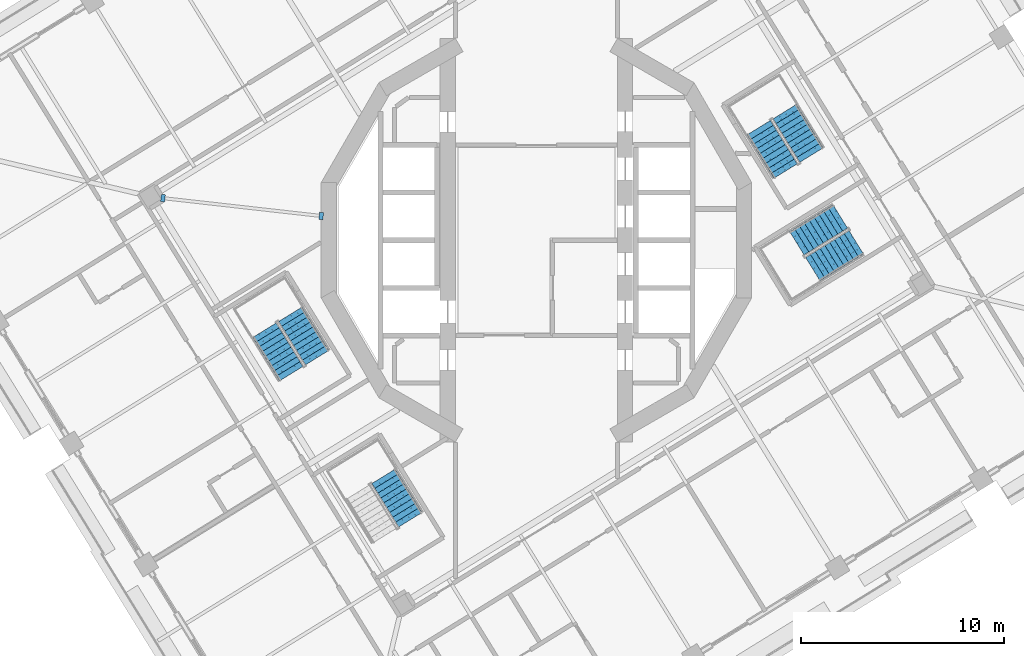
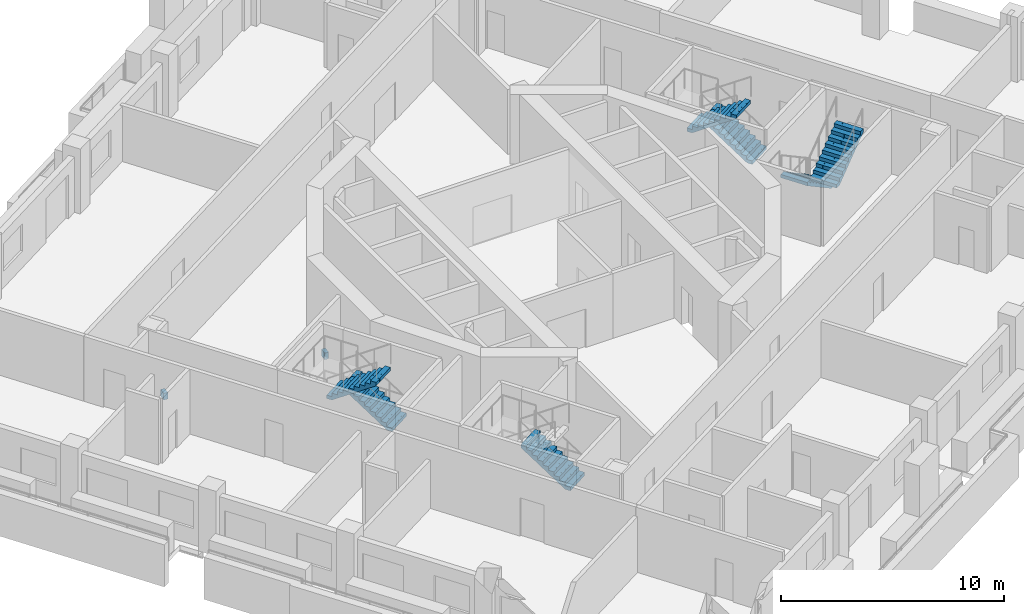
# One storey, part 10 of 20: 7 stair flights, 2 discrete accessories, 4 elements without a shape of their own.
"""IFC4 building model written with IfcOpenShell, lengths in metres."""

from ifc_helpers import new_model, si_unit, direction, frame, origin, place, context, subcontext, project, spatial, polyline, outline, extrude, material, layer, layer_set, type_object, element, aggregate, save


model = new_model("IFC4")

# Units and contexts
model_context = context("Model", 3, precision=1e-05, world=origin(), true_north=direction((0.0, 1.0)))
body_context = subcontext(model_context, "Body", "Model", "MODEL_VIEW")
ifc_project = project(units=[si_unit("LENGTHUNIT", "METRE"), si_unit("AREAUNIT", "SQUARE_METRE"), si_unit("VOLUMEUNIT", "CUBIC_METRE"), si_unit("PLANEANGLEUNIT", "RADIAN"), si_unit("MASSUNIT", "GRAM", prefix="KILO")], contexts=[model_context])

# Site, building, storey
site_placement = place(None, origin())
site = spatial("IfcSite", under=ifc_project, at=site_placement, CompositionType="ELEMENT")
building_placement = place(site_placement, origin())
building = spatial("IfcBuilding", under=site, at=building_placement, Name="Cantera Rosa Tower", CompositionType="ELEMENT")
storey_placement = place(building_placement, frame((0.0, 0.0, 181.800048828125)))
storey = spatial("IfcBuildingStorey", under=building, at=storey_placement, Name="L40", CompositionType="ELEMENT", Elevation=181.800048828125)

# Stair, stair flights
ifc_material_1 = material(Name="Concrete C35/45", Category="concrete")
stair_type = type_object("IfcStairType", Name="EXIT STAIR 1350 DOGLEG", PredefinedType="HALF_TURN_STAIR", material=ifc_material_1)
stair_1_placement = place(storey_placement, origin())
stair_1 = element("IfcStair", 1, at=stair_1_placement, inside=storey, type_object=stair_type, Name="L40 ST-31", PredefinedType="HALF_TURN_STAIR")
ifc_material_2 = material(Name="Concrete C35/45", Category="concrete")
stair_flight_type = type_object("IfcStairFlightType", Name="STAIR FLIGHT 1350 R20x190", PredefinedType="STRAIGHT", material=ifc_material_2)
stair_flight_1_placement = place(storey_placement, frame((13.5732421875, 4.2021484375, 0.0), z_axis=(0.0, 0.0, 1.0), x_axis=(-0.524976585286, 0.851116669383, 0.0)))
stair_flight_1 = element("IfcStairFlight", 2, at=stair_flight_1_placement, type_object=stair_flight_type, Name="ST-31 flight 1", NumberOfRisers=10, NumberOfTreads=9, PredefinedType="STRAIGHT", RiserHeight=0.19, TreadLength=0.28, context=body_context, shape_type="SweptSolid", body=[
    extrude(outline(polyline([(0.0, 0.0), (0.0, 0.18994140625), (0.280029296875, 0.18994140625), (0.280029296875, 0.3798828125), (0.56005859375, 0.3798828125), (0.56005859375, 0.570068359375), (0.840087890625, 0.570068359375), (0.840087890625, 0.760009765625), (1.1201171875, 0.760009765625), (1.1201171875, 0.949951171875), (1.39990234375, 0.949951171875), (1.39990234375, 1.139892578125), (1.679931640625, 1.139892578125), (1.679931640625, 1.330078125), (1.9599609375, 1.330078125), (1.9599609375, 1.52001953125), (2.239990234375, 1.52001953125), (2.239990234375, 1.7099609375), (2.52001953125, 1.7099609375), (2.52001953125, 1.89990234375), (2.52001953125, 1.52880859375), (0.266845703125, 0.0), (0.0, 0.0)])), frame((0.0, 0.675048828125, 0.0), z_axis=(0.0, -1.0, 0.0), x_axis=(1.0, 0.0, 0.0)), (0.0, 0.0, 1.0), 0.3359375),
    extrude(outline(polyline([(0.0, 0.0), (0.0, 0.18994140625), (0.280029296875, 0.18994140625), (0.280029296875, 0.3798828125), (0.56005859375, 0.3798828125), (0.56005859375, 0.570068359375), (0.840087890625, 0.570068359375), (0.840087890625, 0.760009765625), (1.1201171875, 0.760009765625), (1.1201171875, 0.949951171875), (1.39990234375, 0.949951171875), (1.39990234375, 1.139892578125), (1.679931640625, 1.139892578125), (1.679931640625, 1.330078125), (1.9599609375, 1.330078125), (1.9599609375, 1.52001953125), (2.239990234375, 1.52001953125), (2.239990234375, 1.7099609375), (2.52001953125, 1.7099609375), (2.52001953125, 1.89990234375), (2.52001953125, 1.52880859375), (0.266845703125, 0.0), (0.0, 0.0)])), frame((0.0, 0.337158203125, 0.0), z_axis=(0.0, -1.0, 0.0), x_axis=(1.0, 0.0, 0.0)), (0.0, 0.0, 1.0), 0.3359375),
    extrude(outline(polyline([(0.0, 0.0), (0.0, 0.18994140625), (0.280029296875, 0.18994140625), (0.280029296875, 0.3798828125), (0.56005859375, 0.3798828125), (0.56005859375, 0.570068359375), (0.840087890625, 0.570068359375), (0.840087890625, 0.760009765625), (1.1201171875, 0.760009765625), (1.1201171875, 0.949951171875), (1.39990234375, 0.949951171875), (1.39990234375, 1.139892578125), (1.679931640625, 1.139892578125), (1.679931640625, 1.330078125), (1.9599609375, 1.330078125), (1.9599609375, 1.52001953125), (2.239990234375, 1.52001953125), (2.239990234375, 1.7099609375), (2.52001953125, 1.7099609375), (2.52001953125, 1.89990234375), (2.52001953125, 1.52880859375), (0.266845703125, 0.0), (0.0, 0.0)])), frame((0.0, -0.000732421875, 0.0), z_axis=(0.0, -1.0, 0.0), x_axis=(1.0, 0.0, 0.0)), (0.0, 0.0, 1.0), 0.3359375),
    extrude(outline(polyline([(0.0, 0.0), (0.0, 0.18994140625), (0.280029296875, 0.18994140625), (0.280029296875, 0.3798828125), (0.56005859375, 0.3798828125), (0.56005859375, 0.570068359375), (0.840087890625, 0.570068359375), (0.840087890625, 0.760009765625), (1.1201171875, 0.760009765625), (1.1201171875, 0.949951171875), (1.39990234375, 0.949951171875), (1.39990234375, 1.139892578125), (1.679931640625, 1.139892578125), (1.679931640625, 1.330078125), (1.9599609375, 1.330078125), (1.9599609375, 1.52001953125), (2.239990234375, 1.52001953125), (2.239990234375, 1.7099609375), (2.52001953125, 1.7099609375), (2.52001953125, 1.89990234375), (2.52001953125, 1.52880859375), (0.266845703125, 0.0), (0.0, 0.0)])), frame((0.0, -0.338623046875, 0.0), z_axis=(0.0, -1.0, 0.0), x_axis=(1.0, 0.0, 0.0)), (0.0, 0.0, 1.0), 0.3359375),
])
stair_flight_2_placement = place(storey_placement, frame((10.9736328125, 5.5595703125, 1.89990234375), z_axis=(0.0, 0.0, 1.0), x_axis=(0.524976585286, -0.851116669383, 0.0)))
stair_flight_2 = element("IfcStairFlight", 3, at=stair_flight_2_placement, type_object=stair_flight_type, Name="ST-31 flight 2", NumberOfRisers=10, NumberOfTreads=9, PredefinedType="STRAIGHT", RiserHeight=0.19, TreadLength=0.28, context=body_context, shape_type="SweptSolid", body=[
    extrude(outline(polyline([(0.0, 0.0), (0.0, 0.18994140625), (0.280029296875, 0.18994140625), (0.280029296875, 0.3798828125), (0.56005859375, 0.3798828125), (0.56005859375, 0.570068359375), (0.840087890625, 0.570068359375), (0.840087890625, 0.760009765625), (1.1201171875, 0.760009765625), (1.1201171875, 0.949951171875), (1.39990234375, 0.949951171875), (1.39990234375, 1.139892578125), (1.679931640625, 1.139892578125), (1.679931640625, 1.330078125), (1.9599609375, 1.330078125), (1.9599609375, 1.52001953125), (2.239990234375, 1.52001953125), (2.239990234375, 1.7099609375), (2.52001953125, 1.7099609375), (2.52001953125, 1.89990234375), (2.52001953125, 1.52880859375), (0.266845703125, 0.0), (0.0, 0.0)])), frame((0.0, 0.675048828125, 0.0), z_axis=(0.0, -1.0, 0.0), x_axis=(1.0, 0.0, 0.0)), (0.0, 0.0, 1.0), 0.3359375),
    extrude(outline(polyline([(0.0, 0.0), (0.0, 0.18994140625), (0.280029296875, 0.18994140625), (0.280029296875, 0.3798828125), (0.56005859375, 0.3798828125), (0.56005859375, 0.570068359375), (0.840087890625, 0.570068359375), (0.840087890625, 0.760009765625), (1.1201171875, 0.760009765625), (1.1201171875, 0.949951171875), (1.39990234375, 0.949951171875), (1.39990234375, 1.139892578125), (1.679931640625, 1.139892578125), (1.679931640625, 1.330078125), (1.9599609375, 1.330078125), (1.9599609375, 1.52001953125), (2.239990234375, 1.52001953125), (2.239990234375, 1.7099609375), (2.52001953125, 1.7099609375), (2.52001953125, 1.89990234375), (2.52001953125, 1.52880859375), (0.266845703125, 0.0), (0.0, 0.0)])), frame((0.0, 0.337158203125, 0.0), z_axis=(0.0, -1.0, 0.0), x_axis=(1.0, 0.0, 0.0)), (0.0, 0.0, 1.0), 0.3359375),
    extrude(outline(polyline([(0.0, 0.0), (0.0, 0.18994140625), (0.280029296875, 0.18994140625), (0.280029296875, 0.3798828125), (0.56005859375, 0.3798828125), (0.56005859375, 0.570068359375), (0.840087890625, 0.570068359375), (0.840087890625, 0.760009765625), (1.1201171875, 0.760009765625), (1.1201171875, 0.949951171875), (1.39990234375, 0.949951171875), (1.39990234375, 1.139892578125), (1.679931640625, 1.139892578125), (1.679931640625, 1.330078125), (1.9599609375, 1.330078125), (1.9599609375, 1.52001953125), (2.239990234375, 1.52001953125), (2.239990234375, 1.7099609375), (2.52001953125, 1.7099609375), (2.52001953125, 1.89990234375), (2.52001953125, 1.52880859375), (0.266845703125, 0.0), (0.0, 0.0)])), frame((0.0, -0.000732421875, 0.0), z_axis=(0.0, -1.0, 0.0), x_axis=(1.0, 0.0, 0.0)), (0.0, 0.0, 1.0), 0.3359375),
    extrude(outline(polyline([(0.0, 0.0), (0.0, 0.18994140625), (0.280029296875, 0.18994140625), (0.280029296875, 0.3798828125), (0.56005859375, 0.3798828125), (0.56005859375, 0.570068359375), (0.840087890625, 0.570068359375), (0.840087890625, 0.760009765625), (1.1201171875, 0.760009765625), (1.1201171875, 0.949951171875), (1.39990234375, 0.949951171875), (1.39990234375, 1.139892578125), (1.679931640625, 1.139892578125), (1.679931640625, 1.330078125), (1.9599609375, 1.330078125), (1.9599609375, 1.52001953125), (2.239990234375, 1.52001953125), (2.239990234375, 1.7099609375), (2.52001953125, 1.7099609375), (2.52001953125, 1.89990234375), (2.52001953125, 1.52880859375), (0.266845703125, 0.0), (0.0, 0.0)])), frame((0.0, -0.338623046875, 0.0), z_axis=(0.0, -1.0, 0.0), x_axis=(1.0, 0.0, 0.0)), (0.0, 0.0, 1.0), 0.3359375),
])
aggregate(stair_1, [stair_flight_1, stair_flight_2])

stair_2_placement = place(storey_placement, origin())
stair_2 = element("IfcStair", 4, at=stair_2_placement, inside=storey, type_object=stair_type, Name="L40 ST-32", PredefinedType="HALF_TURN_STAIR")
stair_flight_3_placement = place(storey_placement, frame((-10.82666015625, -5.7978515625, 0.0), z_axis=(0.0, 0.0, 1.0), x_axis=(-0.524976585286, 0.851116669383, 0.0)))
stair_flight_3 = element("IfcStairFlight", 5, at=stair_flight_3_placement, type_object=stair_flight_type, Name="ST-32 flight 1", NumberOfRisers=10, NumberOfTreads=9, PredefinedType="STRAIGHT", RiserHeight=0.19, TreadLength=0.28, context=body_context, shape_type="SweptSolid", body=[
    extrude(outline(polyline([(0.0, 0.0), (0.0, 0.18994140625), (0.280029296875, 0.18994140625), (0.280029296875, 0.3798828125), (0.56005859375, 0.3798828125), (0.56005859375, 0.570068359375), (0.840087890625, 0.570068359375), (0.840087890625, 0.760009765625), (1.1201171875, 0.760009765625), (1.1201171875, 0.949951171875), (1.39990234375, 0.949951171875), (1.39990234375, 1.139892578125), (1.679931640625, 1.139892578125), (1.679931640625, 1.330078125), (1.9599609375, 1.330078125), (1.9599609375, 1.52001953125), (2.239990234375, 1.52001953125), (2.239990234375, 1.7099609375), (2.52001953125, 1.7099609375), (2.52001953125, 1.89990234375), (2.52001953125, 1.52880859375), (0.266845703125, 0.0), (0.0, 0.0)])), frame((0.0, 0.675048828125, 0.0), z_axis=(0.0, -1.0, 0.0), x_axis=(1.0, 0.0, 0.0)), (0.0, 0.0, 1.0), 0.3359375),
    extrude(outline(polyline([(0.0, 0.0), (0.0, 0.18994140625), (0.280029296875, 0.18994140625), (0.280029296875, 0.3798828125), (0.56005859375, 0.3798828125), (0.56005859375, 0.570068359375), (0.840087890625, 0.570068359375), (0.840087890625, 0.760009765625), (1.1201171875, 0.760009765625), (1.1201171875, 0.949951171875), (1.39990234375, 0.949951171875), (1.39990234375, 1.139892578125), (1.679931640625, 1.139892578125), (1.679931640625, 1.330078125), (1.9599609375, 1.330078125), (1.9599609375, 1.52001953125), (2.239990234375, 1.52001953125), (2.239990234375, 1.7099609375), (2.52001953125, 1.7099609375), (2.52001953125, 1.89990234375), (2.52001953125, 1.52880859375), (0.266845703125, 0.0), (0.0, 0.0)])), frame((0.0, 0.337158203125, 0.0), z_axis=(0.0, -1.0, 0.0), x_axis=(1.0, 0.0, 0.0)), (0.0, 0.0, 1.0), 0.3359375),
    extrude(outline(polyline([(0.0, 0.0), (0.0, 0.18994140625), (0.280029296875, 0.18994140625), (0.280029296875, 0.3798828125), (0.56005859375, 0.3798828125), (0.56005859375, 0.570068359375), (0.840087890625, 0.570068359375), (0.840087890625, 0.760009765625), (1.1201171875, 0.760009765625), (1.1201171875, 0.949951171875), (1.39990234375, 0.949951171875), (1.39990234375, 1.139892578125), (1.679931640625, 1.139892578125), (1.679931640625, 1.330078125), (1.9599609375, 1.330078125), (1.9599609375, 1.52001953125), (2.239990234375, 1.52001953125), (2.239990234375, 1.7099609375), (2.52001953125, 1.7099609375), (2.52001953125, 1.89990234375), (2.52001953125, 1.52880859375), (0.266845703125, 0.0), (0.0, 0.0)])), frame((0.0, -0.000732421875, 0.0), z_axis=(0.0, -1.0, 0.0), x_axis=(1.0, 0.0, 0.0)), (0.0, 0.0, 1.0), 0.3359375),
    extrude(outline(polyline([(0.0, 0.0), (0.0, 0.18994140625), (0.280029296875, 0.18994140625), (0.280029296875, 0.3798828125), (0.56005859375, 0.3798828125), (0.56005859375, 0.570068359375), (0.840087890625, 0.570068359375), (0.840087890625, 0.760009765625), (1.1201171875, 0.760009765625), (1.1201171875, 0.949951171875), (1.39990234375, 0.949951171875), (1.39990234375, 1.139892578125), (1.679931640625, 1.139892578125), (1.679931640625, 1.330078125), (1.9599609375, 1.330078125), (1.9599609375, 1.52001953125), (2.239990234375, 1.52001953125), (2.239990234375, 1.7099609375), (2.52001953125, 1.7099609375), (2.52001953125, 1.89990234375), (2.52001953125, 1.52880859375), (0.266845703125, 0.0), (0.0, 0.0)])), frame((0.0, -0.338623046875, 0.0), z_axis=(0.0, -1.0, 0.0), x_axis=(1.0, 0.0, 0.0)), (0.0, 0.0, 1.0), 0.3359375),
])
stair_flight_4_placement = place(storey_placement, frame((-13.42626953125, -4.4404296875, 1.89990234375), z_axis=(0.0, 0.0, 1.0), x_axis=(0.524976585286, -0.851116669383, 0.0)))
stair_flight_4 = element("IfcStairFlight", 6, at=stair_flight_4_placement, type_object=stair_flight_type, Name="ST-32 flight 2", NumberOfRisers=10, NumberOfTreads=9, PredefinedType="STRAIGHT", RiserHeight=0.19, TreadLength=0.28, context=body_context, shape_type="SweptSolid", body=[
    extrude(outline(polyline([(0.0, 0.0), (0.0, 0.18994140625), (0.280029296875, 0.18994140625), (0.280029296875, 0.3798828125), (0.56005859375, 0.3798828125), (0.56005859375, 0.570068359375), (0.840087890625, 0.570068359375), (0.840087890625, 0.760009765625), (1.1201171875, 0.760009765625), (1.1201171875, 0.949951171875), (1.39990234375, 0.949951171875), (1.39990234375, 1.139892578125), (1.679931640625, 1.139892578125), (1.679931640625, 1.330078125), (1.9599609375, 1.330078125), (1.9599609375, 1.52001953125), (2.239990234375, 1.52001953125), (2.239990234375, 1.7099609375), (2.52001953125, 1.7099609375), (2.52001953125, 1.89990234375), (2.52001953125, 1.52880859375), (0.266845703125, 0.0), (0.0, 0.0)])), frame((0.0, 0.675048828125, 0.0), z_axis=(0.0, -1.0, 0.0), x_axis=(1.0, 0.0, 0.0)), (0.0, 0.0, 1.0), 0.3359375),
    extrude(outline(polyline([(0.0, 0.0), (0.0, 0.18994140625), (0.280029296875, 0.18994140625), (0.280029296875, 0.3798828125), (0.56005859375, 0.3798828125), (0.56005859375, 0.570068359375), (0.840087890625, 0.570068359375), (0.840087890625, 0.760009765625), (1.1201171875, 0.760009765625), (1.1201171875, 0.949951171875), (1.39990234375, 0.949951171875), (1.39990234375, 1.139892578125), (1.679931640625, 1.139892578125), (1.679931640625, 1.330078125), (1.9599609375, 1.330078125), (1.9599609375, 1.52001953125), (2.239990234375, 1.52001953125), (2.239990234375, 1.7099609375), (2.52001953125, 1.7099609375), (2.52001953125, 1.89990234375), (2.52001953125, 1.52880859375), (0.266845703125, 0.0), (0.0, 0.0)])), frame((0.0, 0.337158203125, 0.0), z_axis=(0.0, -1.0, 0.0), x_axis=(1.0, 0.0, 0.0)), (0.0, 0.0, 1.0), 0.3359375),
    extrude(outline(polyline([(0.0, 0.0), (0.0, 0.18994140625), (0.280029296875, 0.18994140625), (0.280029296875, 0.3798828125), (0.56005859375, 0.3798828125), (0.56005859375, 0.570068359375), (0.840087890625, 0.570068359375), (0.840087890625, 0.760009765625), (1.1201171875, 0.760009765625), (1.1201171875, 0.949951171875), (1.39990234375, 0.949951171875), (1.39990234375, 1.139892578125), (1.679931640625, 1.139892578125), (1.679931640625, 1.330078125), (1.9599609375, 1.330078125), (1.9599609375, 1.52001953125), (2.239990234375, 1.52001953125), (2.239990234375, 1.7099609375), (2.52001953125, 1.7099609375), (2.52001953125, 1.89990234375), (2.52001953125, 1.52880859375), (0.266845703125, 0.0), (0.0, 0.0)])), frame((0.0, -0.000732421875, 0.0), z_axis=(0.0, -1.0, 0.0), x_axis=(1.0, 0.0, 0.0)), (0.0, 0.0, 1.0), 0.3359375),
    extrude(outline(polyline([(0.0, 0.0), (0.0, 0.18994140625), (0.280029296875, 0.18994140625), (0.280029296875, 0.3798828125), (0.56005859375, 0.3798828125), (0.56005859375, 0.570068359375), (0.840087890625, 0.570068359375), (0.840087890625, 0.760009765625), (1.1201171875, 0.760009765625), (1.1201171875, 0.949951171875), (1.39990234375, 0.949951171875), (1.39990234375, 1.139892578125), (1.679931640625, 1.139892578125), (1.679931640625, 1.330078125), (1.9599609375, 1.330078125), (1.9599609375, 1.52001953125), (2.239990234375, 1.52001953125), (2.239990234375, 1.7099609375), (2.52001953125, 1.7099609375), (2.52001953125, 1.89990234375), (2.52001953125, 1.52880859375), (0.266845703125, 0.0), (0.0, 0.0)])), frame((0.0, -0.338623046875, 0.0), z_axis=(0.0, -1.0, 0.0), x_axis=(1.0, 0.0, 0.0)), (0.0, 0.0, 1.0), 0.3359375),
])
aggregate(stair_2, [stair_flight_3, stair_flight_4])

# Stair, stair flight
stair_3_placement = place(storey_placement, origin())
stair_3 = element("IfcStair", 7, at=stair_3_placement, inside=storey, type_object=stair_type, Name="L40 ST-33", PredefinedType="HALF_TURN_STAIR")
stair_flight_5_placement = place(storey_placement, frame((-6.226806640625, -13.7978515625, 0.0), z_axis=(0.0, 0.0, 1.0), x_axis=(-0.524976585286, 0.851116669383, 0.0)))
stair_flight_5 = element("IfcStairFlight", 8, at=stair_flight_5_placement, type_object=stair_flight_type, Name="ST-33 flight 1", NumberOfRisers=10, NumberOfTreads=9, PredefinedType="STRAIGHT", RiserHeight=0.19, TreadLength=0.28, context=body_context, shape_type="SweptSolid", body=[
    extrude(outline(polyline([(0.0, 0.0), (0.0, 0.18994140625), (0.280029296875, 0.18994140625), (0.280029296875, 0.3798828125), (0.56005859375, 0.3798828125), (0.56005859375, 0.570068359375), (0.840087890625, 0.570068359375), (0.840087890625, 0.760009765625), (1.1201171875, 0.760009765625), (1.1201171875, 0.949951171875), (1.39990234375, 0.949951171875), (1.39990234375, 1.139892578125), (1.679931640625, 1.139892578125), (1.679931640625, 1.330078125), (1.9599609375, 1.330078125), (1.9599609375, 1.52001953125), (2.239990234375, 1.52001953125), (2.239990234375, 1.7099609375), (2.52001953125, 1.7099609375), (2.52001953125, 1.89990234375), (2.52001953125, 1.52880859375), (0.266845703125, 0.0), (0.0, 0.0)])), frame((0.0, 0.675048828125, 0.0), z_axis=(0.0, -1.0, 0.0), x_axis=(1.0, 0.0, 0.0)), (0.0, 0.0, 1.0), 0.3359375),
    extrude(outline(polyline([(0.0, 0.0), (0.0, 0.18994140625), (0.280029296875, 0.18994140625), (0.280029296875, 0.3798828125), (0.56005859375, 0.3798828125), (0.56005859375, 0.570068359375), (0.840087890625, 0.570068359375), (0.840087890625, 0.760009765625), (1.1201171875, 0.760009765625), (1.1201171875, 0.949951171875), (1.39990234375, 0.949951171875), (1.39990234375, 1.139892578125), (1.679931640625, 1.139892578125), (1.679931640625, 1.330078125), (1.9599609375, 1.330078125), (1.9599609375, 1.52001953125), (2.239990234375, 1.52001953125), (2.239990234375, 1.7099609375), (2.52001953125, 1.7099609375), (2.52001953125, 1.89990234375), (2.52001953125, 1.52880859375), (0.266845703125, 0.0), (0.0, 0.0)])), frame((0.0, 0.337158203125, 0.0), z_axis=(0.0, -1.0, 0.0), x_axis=(1.0, 0.0, 0.0)), (0.0, 0.0, 1.0), 0.3359375),
    extrude(outline(polyline([(0.0, 0.0), (0.0, 0.18994140625), (0.280029296875, 0.18994140625), (0.280029296875, 0.3798828125), (0.56005859375, 0.3798828125), (0.56005859375, 0.570068359375), (0.840087890625, 0.570068359375), (0.840087890625, 0.760009765625), (1.1201171875, 0.760009765625), (1.1201171875, 0.949951171875), (1.39990234375, 0.949951171875), (1.39990234375, 1.139892578125), (1.679931640625, 1.139892578125), (1.679931640625, 1.330078125), (1.9599609375, 1.330078125), (1.9599609375, 1.52001953125), (2.239990234375, 1.52001953125), (2.239990234375, 1.7099609375), (2.52001953125, 1.7099609375), (2.52001953125, 1.89990234375), (2.52001953125, 1.52880859375), (0.266845703125, 0.0), (0.0, 0.0)])), frame((0.0, -0.000732421875, 0.0), z_axis=(0.0, -1.0, 0.0), x_axis=(1.0, 0.0, 0.0)), (0.0, 0.0, 1.0), 0.3359375),
    extrude(outline(polyline([(0.0, 0.0), (0.0, 0.18994140625), (0.280029296875, 0.18994140625), (0.280029296875, 0.3798828125), (0.56005859375, 0.3798828125), (0.56005859375, 0.570068359375), (0.840087890625, 0.570068359375), (0.840087890625, 0.760009765625), (1.1201171875, 0.760009765625), (1.1201171875, 0.949951171875), (1.39990234375, 0.949951171875), (1.39990234375, 1.139892578125), (1.679931640625, 1.139892578125), (1.679931640625, 1.330078125), (1.9599609375, 1.330078125), (1.9599609375, 1.52001953125), (2.239990234375, 1.52001953125), (2.239990234375, 1.7099609375), (2.52001953125, 1.7099609375), (2.52001953125, 1.89990234375), (2.52001953125, 1.52880859375), (0.266845703125, 0.0), (0.0, 0.0)])), frame((0.0, -0.338623046875, 0.0), z_axis=(0.0, -1.0, 0.0), x_axis=(1.0, 0.0, 0.0)), (0.0, 0.0, 1.0), 0.3359375),
])
aggregate(stair_3, [stair_flight_5])

# Stair, stair flights
stair_4_placement = place(storey_placement, origin())
stair_4 = element("IfcStair", 9, at=stair_4_placement, inside=storey, type_object=stair_type, Name="L40 ST-34", PredefinedType="HALF_TURN_STAIR")
stair_flight_6_placement = place(storey_placement, frame((14.997802734375, 1.17333984375, 0.0), z_axis=(0.0, 0.0, 1.0), x_axis=(-0.851116669383, -0.524976585286, 0.0)))
stair_flight_6 = element("IfcStairFlight", 10, at=stair_flight_6_placement, type_object=stair_flight_type, Name="ST-34 flight 1", NumberOfRisers=10, NumberOfTreads=9, PredefinedType="STRAIGHT", RiserHeight=0.19, TreadLength=0.28, context=body_context, shape_type="SweptSolid", body=[
    extrude(outline(polyline([(0.0, 0.0), (0.0, 0.18994140625), (0.280029296875, 0.18994140625), (0.280029296875, 0.3798828125), (0.56005859375, 0.3798828125), (0.56005859375, 0.570068359375), (0.840087890625, 0.570068359375), (0.840087890625, 0.760009765625), (1.1201171875, 0.760009765625), (1.1201171875, 0.949951171875), (1.39990234375, 0.949951171875), (1.39990234375, 1.139892578125), (1.679931640625, 1.139892578125), (1.679931640625, 1.330078125), (1.9599609375, 1.330078125), (1.9599609375, 1.52001953125), (2.239990234375, 1.52001953125), (2.239990234375, 1.7099609375), (2.52001953125, 1.7099609375), (2.52001953125, 1.89990234375), (2.52001953125, 1.52880859375), (0.266845703125, 0.0), (0.0, 0.0)])), frame((0.0, 0.675048828125, 0.0), z_axis=(0.0, -1.0, 0.0), x_axis=(1.0, 0.0, 0.0)), (0.0, 0.0, 1.0), 0.3359375),
    extrude(outline(polyline([(0.0, 0.0), (0.0, 0.18994140625), (0.280029296875, 0.18994140625), (0.280029296875, 0.3798828125), (0.56005859375, 0.3798828125), (0.56005859375, 0.570068359375), (0.840087890625, 0.570068359375), (0.840087890625, 0.760009765625), (1.1201171875, 0.760009765625), (1.1201171875, 0.949951171875), (1.39990234375, 0.949951171875), (1.39990234375, 1.139892578125), (1.679931640625, 1.139892578125), (1.679931640625, 1.330078125), (1.9599609375, 1.330078125), (1.9599609375, 1.52001953125), (2.239990234375, 1.52001953125), (2.239990234375, 1.7099609375), (2.52001953125, 1.7099609375), (2.52001953125, 1.89990234375), (2.52001953125, 1.52880859375), (0.266845703125, 0.0), (0.0, 0.0)])), frame((0.0, 0.337158203125, 0.0), z_axis=(0.0, -1.0, 0.0), x_axis=(1.0, 0.0, 0.0)), (0.0, 0.0, 1.0), 0.3359375),
    extrude(outline(polyline([(0.0, 0.0), (0.0, 0.18994140625), (0.280029296875, 0.18994140625), (0.280029296875, 0.3798828125), (0.56005859375, 0.3798828125), (0.56005859375, 0.570068359375), (0.840087890625, 0.570068359375), (0.840087890625, 0.760009765625), (1.1201171875, 0.760009765625), (1.1201171875, 0.949951171875), (1.39990234375, 0.949951171875), (1.39990234375, 1.139892578125), (1.679931640625, 1.139892578125), (1.679931640625, 1.330078125), (1.9599609375, 1.330078125), (1.9599609375, 1.52001953125), (2.239990234375, 1.52001953125), (2.239990234375, 1.7099609375), (2.52001953125, 1.7099609375), (2.52001953125, 1.89990234375), (2.52001953125, 1.52880859375), (0.266845703125, 0.0), (0.0, 0.0)])), frame((0.0, -0.000732421875, 0.0), z_axis=(0.0, -1.0, 0.0), x_axis=(1.0, 0.0, 0.0)), (0.0, 0.0, 1.0), 0.3359375),
    extrude(outline(polyline([(0.0, 0.0), (0.0, 0.18994140625), (0.280029296875, 0.18994140625), (0.280029296875, 0.3798828125), (0.56005859375, 0.3798828125), (0.56005859375, 0.570068359375), (0.840087890625, 0.570068359375), (0.840087890625, 0.760009765625), (1.1201171875, 0.760009765625), (1.1201171875, 0.949951171875), (1.39990234375, 0.949951171875), (1.39990234375, 1.139892578125), (1.679931640625, 1.139892578125), (1.679931640625, 1.330078125), (1.9599609375, 1.330078125), (1.9599609375, 1.52001953125), (2.239990234375, 1.52001953125), (2.239990234375, 1.7099609375), (2.52001953125, 1.7099609375), (2.52001953125, 1.89990234375), (2.52001953125, 1.52880859375), (0.266845703125, 0.0), (0.0, 0.0)])), frame((0.0, -0.338623046875, 0.0), z_axis=(0.0, -1.0, 0.0), x_axis=(1.0, 0.0, 0.0)), (0.0, 0.0, 1.0), 0.3359375),
])
stair_flight_7_placement = place(storey_placement, frame((13.640380859375, -1.42626953125, 1.89990234375), z_axis=(0.0, 0.0, 1.0), x_axis=(0.851116669383, 0.524976585286, 0.0)))
stair_flight_7 = element("IfcStairFlight", 11, at=stair_flight_7_placement, type_object=stair_flight_type, Name="ST-34 flight 2", NumberOfRisers=10, NumberOfTreads=9, PredefinedType="STRAIGHT", RiserHeight=0.19, TreadLength=0.28, context=body_context, shape_type="SweptSolid", body=[
    extrude(outline(polyline([(0.0, 0.0), (0.0, 0.18994140625), (0.280029296875, 0.18994140625), (0.280029296875, 0.3798828125), (0.56005859375, 0.3798828125), (0.56005859375, 0.570068359375), (0.840087890625, 0.570068359375), (0.840087890625, 0.760009765625), (1.1201171875, 0.760009765625), (1.1201171875, 0.949951171875), (1.39990234375, 0.949951171875), (1.39990234375, 1.139892578125), (1.679931640625, 1.139892578125), (1.679931640625, 1.330078125), (1.9599609375, 1.330078125), (1.9599609375, 1.52001953125), (2.239990234375, 1.52001953125), (2.239990234375, 1.7099609375), (2.52001953125, 1.7099609375), (2.52001953125, 1.89990234375), (2.52001953125, 1.52880859375), (0.266845703125, 0.0), (0.0, 0.0)])), frame((0.0, 0.675048828125, 0.0), z_axis=(0.0, -1.0, 0.0), x_axis=(1.0, 0.0, 0.0)), (0.0, 0.0, 1.0), 0.3359375),
    extrude(outline(polyline([(0.0, 0.0), (0.0, 0.18994140625), (0.280029296875, 0.18994140625), (0.280029296875, 0.3798828125), (0.56005859375, 0.3798828125), (0.56005859375, 0.570068359375), (0.840087890625, 0.570068359375), (0.840087890625, 0.760009765625), (1.1201171875, 0.760009765625), (1.1201171875, 0.949951171875), (1.39990234375, 0.949951171875), (1.39990234375, 1.139892578125), (1.679931640625, 1.139892578125), (1.679931640625, 1.330078125), (1.9599609375, 1.330078125), (1.9599609375, 1.52001953125), (2.239990234375, 1.52001953125), (2.239990234375, 1.7099609375), (2.52001953125, 1.7099609375), (2.52001953125, 1.89990234375), (2.52001953125, 1.52880859375), (0.266845703125, 0.0), (0.0, 0.0)])), frame((0.0, 0.337158203125, 0.0), z_axis=(0.0, -1.0, 0.0), x_axis=(1.0, 0.0, 0.0)), (0.0, 0.0, 1.0), 0.3359375),
    extrude(outline(polyline([(0.0, 0.0), (0.0, 0.18994140625), (0.280029296875, 0.18994140625), (0.280029296875, 0.3798828125), (0.56005859375, 0.3798828125), (0.56005859375, 0.570068359375), (0.840087890625, 0.570068359375), (0.840087890625, 0.760009765625), (1.1201171875, 0.760009765625), (1.1201171875, 0.949951171875), (1.39990234375, 0.949951171875), (1.39990234375, 1.139892578125), (1.679931640625, 1.139892578125), (1.679931640625, 1.330078125), (1.9599609375, 1.330078125), (1.9599609375, 1.52001953125), (2.239990234375, 1.52001953125), (2.239990234375, 1.7099609375), (2.52001953125, 1.7099609375), (2.52001953125, 1.89990234375), (2.52001953125, 1.52880859375), (0.266845703125, 0.0), (0.0, 0.0)])), frame((0.0, -0.000732421875, 0.0), z_axis=(0.0, -1.0, 0.0), x_axis=(1.0, 0.0, 0.0)), (0.0, 0.0, 1.0), 0.3359375),
    extrude(outline(polyline([(0.0, 0.0), (0.0, 0.18994140625), (0.280029296875, 0.18994140625), (0.280029296875, 0.3798828125), (0.56005859375, 0.3798828125), (0.56005859375, 0.570068359375), (0.840087890625, 0.570068359375), (0.840087890625, 0.760009765625), (1.1201171875, 0.760009765625), (1.1201171875, 0.949951171875), (1.39990234375, 0.949951171875), (1.39990234375, 1.139892578125), (1.679931640625, 1.139892578125), (1.679931640625, 1.330078125), (1.9599609375, 1.330078125), (1.9599609375, 1.52001953125), (2.239990234375, 1.52001953125), (2.239990234375, 1.7099609375), (2.52001953125, 1.7099609375), (2.52001953125, 1.89990234375), (2.52001953125, 1.52880859375), (0.266845703125, 0.0), (0.0, 0.0)])), frame((0.0, -0.338623046875, 0.0), z_axis=(0.0, -1.0, 0.0), x_axis=(1.0, 0.0, 0.0)), (0.0, 0.0, 1.0), 0.3359375),
])
aggregate(stair_4, [stair_flight_6, stair_flight_7])

# Discrete accessories
ifc_material_3 = material(Name="Steel ASTM A992 (Fy 345 MPa)", Category="steel")
ifc_layer = layer(ifc_material_3, 0.0400390625)
ifc_layer_set = layer_set([ifc_layer], Name="STEEL BEARING PLATE 40")
discrete_accessory_type = type_object("IfcDiscreteAccessoryType", Name="STEEL BEARING PLATE 40", PredefinedType="ANCHORPLATE", material=ifc_layer_set)
discrete_accessory_1_placement = place(storey_placement, frame((0.0, 0.0, -0.66015625)))
element("IfcDiscreteAccessory", 12, at=discrete_accessory_1_placement, inside=storey, type_object=discrete_accessory_type, Name="BEARING PLATE PG-Z3-01 end 1 L40", PredefinedType="ANCHORPLATE", context=body_context, shape_type="SweptSolid", body=[
    extrude(outline(polyline([(-18.316650390625, 2.242919921875), (-18.515380859375, 2.265380859375), (-18.554931640625, 1.91357421875), (-18.356201171875, 1.89111328125), (-18.316650390625, 2.242919921875)])), origin(), (0.0, 0.0, 1.0), 0.360107421875),
])
discrete_accessory_2_placement = place(storey_placement, frame((0.0, 0.0, -0.66015625)))
element("IfcDiscreteAccessory", 13, at=discrete_accessory_2_placement, inside=storey, type_object=discrete_accessory_type, Name="BEARING PLATE PG-Z3-01 end 2 L40", PredefinedType="ANCHORPLATE", context=body_context, shape_type="SweptSolid", body=[
    extrude(outline(polyline([(-10.744384765625, 1.033203125), (-10.545654296875, 1.0107421875), (-10.506103515625, 1.3623046875), (-10.70458984375, 1.384765625), (-10.744384765625, 1.033203125)])), origin(), (0.0, 0.0, 1.0), 0.360107421875),
])

save(model, "model.ifc")
